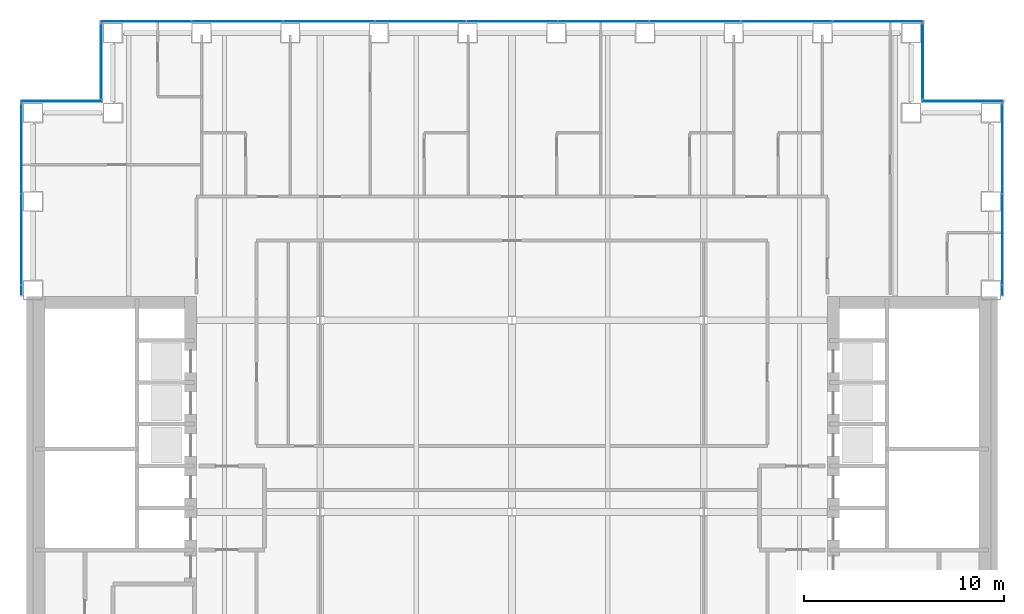
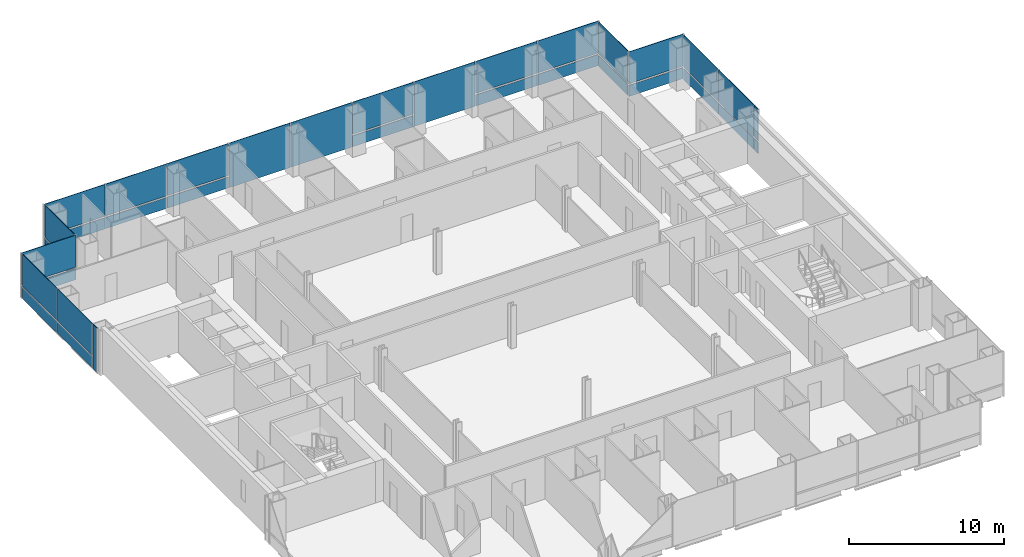
# One storey, part 15 of 21: 34 plates, 7 elements without a shape of their own.
"""IFC4 building model written with IfcOpenShell, lengths in metres."""

import ifcopenshell
import ifcopenshell.guid

model = None  # the IFC model being written
_history = None  # IfcOwnerHistory: only IFC2X3 demands one
_inside = {}  # id of a spatial element -> (the spatial element, [elements in it])
_under = {}  # id of a project, library or spatial element -> (it, [spatial elements below it])
_declared = {}  # id of a project -> (the project, [libraries it declares])
_typed = {}  # id of a type object -> (the type object, [elements of that type])
_made_of = {}  # id of a material, layer set ... -> (it, [elements and type objects made of it])


def new_model(schema):
    """Start an empty IFC model of exactly this schema.

    Asked for "IFC4X3", IfcOpenShell would pick the latest addendum, in which some entities
    have other attributes; the version numbers below select the first issue.
    IFC2X3 requires an IfcOwnerHistory on every rooted entity: one is made here for all.
    """
    global model, _history
    if schema == "IFC4X3":
        model = ifcopenshell.file(schema_version=(4, 3, 0, 0))
    else:
        model = ifcopenshell.file(schema=schema)
    _inside.clear()
    _under.clear()
    _declared.clear()
    _typed.clear()
    _made_of.clear()
    _history = None
    if model.schema == "IFC2X3":
        org = make("IfcOrganization", Name="unknown")
        user = make(
            "IfcPersonAndOrganization",
            ThePerson=make("IfcPerson", FamilyName="unknown"),
            TheOrganization=org,
        )
        app = make(
            "IfcApplication",
            ApplicationDeveloper=org,
            Version="unknown",
            ApplicationFullName="unknown",
            ApplicationIdentifier="unknown",
        )
        _history = make(
            "IfcOwnerHistory",
            OwningUser=user,
            OwningApplication=app,
            ChangeAction="ADDED",
            CreationDate=0,
        )
    return model


def make(cls, **values):
    """One entity of the class cls with the attributes given. An attribute that is None is left unset."""
    return model.create_entity(
        cls, **{name: value for name, value in values.items() if value is not None}
    )


def rooted(cls, **values):
    """An entity with a GlobalId (a new one), such as an element, a storey or a relation."""
    return make(cls, GlobalId=ifcopenshell.guid.new(), OwnerHistory=_history, **values)


def si_unit(unit_type, name, prefix=None):
    """IfcSIUnit, for example si_unit("LENGTHUNIT", "METRE", prefix="MILLI")."""
    return make("IfcSIUnit", UnitType=unit_type, Prefix=prefix, Name=name)


def assignment(units):
    """IfcUnitAssignment: the units of a project."""
    return None if units is None else make("IfcUnitAssignment", Units=units)


def point(xyz):
    """IfcCartesianPoint."""
    return None if xyz is None else make("IfcCartesianPoint", Coordinates=xyz)


def direction(xyz):
    """IfcDirection."""
    return None if xyz is None else make("IfcDirection", DirectionRatios=xyz)


def frame(location, z_axis=None, x_axis=None):
    """IfcAxis2Placement3D, a coordinate frame: its origin and axes. An axis left out is left unset."""
    return make(
        "IfcAxis2Placement3D",
        Location=point(location),
        Axis=direction(z_axis),
        RefDirection=direction(x_axis),
    )


def frame_2d(location, x_axis=None):
    """IfcAxis2Placement2D, a coordinate frame in the plane: its origin and x axis."""
    return make(
        "IfcAxis2Placement2D", Location=point(location), RefDirection=direction(x_axis)
    )


def origin():
    """The frame at (0, 0, 0) with its axes left unset."""
    return frame((0.0, 0.0, 0.0))


def origin_2d():
    """The frame at (0, 0) in the plane with its x axis left unset."""
    return frame_2d((0.0, 0.0))


def place(relative_to, where):
    """IfcLocalPlacement: puts the frame where relative to a parent placement (None: the world)."""
    return make(
        "IfcLocalPlacement", PlacementRelTo=relative_to, RelativePlacement=where
    )


def context(
    kind, dimensions, precision=None, world=None, true_north=None, identifier=None
):
    """IfcGeometricRepresentationContext, for example the 3D "Model" context."""
    return make(
        "IfcGeometricRepresentationContext",
        ContextIdentifier=identifier,
        ContextType=kind,
        CoordinateSpaceDimension=dimensions,
        Precision=precision,
        WorldCoordinateSystem=world,
        TrueNorth=true_north,
    )


def subcontext(parent, identifier, kind, view, scale=None):
    """IfcGeometricRepresentationSubContext, for example "Body" below "Model"."""
    return make(
        "IfcGeometricRepresentationSubContext",
        ContextIdentifier=identifier,
        ContextType=kind,
        ParentContext=parent,
        TargetScale=scale,
        TargetView=view,
    )


def project(units=None, contexts=None):
    """IfcProject with its units and contexts."""
    return rooted(
        "IfcProject",
        Name="project",
        RepresentationContexts=contexts,
        UnitsInContext=assignment(units),
    )


def spatial(cls, under=None, at=None, **own):
    """A site, building, storey or space (cls), placed at a placement, below another one or the project."""
    s = rooted(cls, ObjectPlacement=at, **own)
    if under is not None:
        _under.setdefault(under.id(), (under, []))[1].append(s)
    return s


def profile(cls, at=None, kind="AREA", **sizes):
    """A parametric profile (cls). Its sizes go by their IFC names, for example OverallWidth=200.0."""
    return make(cls, ProfileType=kind, Position=at, **sizes)


def rectangle(**sizes):
    """IfcRectangleProfileDef."""
    return profile("IfcRectangleProfileDef", **sizes)


def extrude(swept, where, along, depth):
    """IfcExtrudedAreaSolid: the profile swept, set in the frame where, extruded along a direction by depth."""
    return make(
        "IfcExtrudedAreaSolid",
        SweptArea=swept,
        Position=where,
        ExtrudedDirection=direction(along),
        Depth=depth,
    )


def shape(context_of_items, identifier, shape_type, items):
    """IfcShapeRepresentation: the items that make up one representation, for example the "Body"."""
    return make(
        "IfcShapeRepresentation",
        ContextOfItems=context_of_items,
        RepresentationIdentifier=identifier,
        RepresentationType=shape_type,
        Items=items,
    )


def material(Name=None, Category=None):
    """IfcMaterial."""
    return make("IfcMaterial", Name=Name, Category=Category)


def layer(
    of_material, thickness, ventilated=None, Name=None, Category=None, Priority=None
):
    """IfcMaterialLayer: one layer of a wall or slab, of a material (None: an air gap)."""
    return make(
        "IfcMaterialLayer",
        Material=of_material,
        LayerThickness=thickness,
        IsVentilated=ventilated,
        Name=Name,
        Category=Category,
        Priority=Priority,
    )


def layer_set(layers, Name=None):
    """IfcMaterialLayerSet."""
    return make("IfcMaterialLayerSet", MaterialLayers=layers, LayerSetName=Name)


def made_of(thing, what):
    """Note that an element or type object is made of a material, layer set ...; save() writes the relation."""
    if what is not None:
        _made_of.setdefault(what.id(), (what, []))[1].append(thing)
    return thing


def type_object(cls, material=None, **own):
    """A type object (cls), such as IfcWallType, which elements share."""
    return made_of(rooted(cls, **own), material)


def element(
    cls,
    number,
    at=None,
    inside=None,
    cuts=None,
    type_object=None,
    material=None,
    context=None,
    identifier="Body",
    shape_type=None,
    held_by="IfcProductDefinitionShape",
    body=None,
    shapes=None,
    **own,
):
    """One element of the class cls, such as IfcWall. Its Tag is "e" and its number.

    at: its placement. inside: the storey or other place that contains it. cuts: it is an
    opening in that element (IfcRelVoidsElement). A single representation is given by context,
    identifier, shape_type and body (its items); several are given by shapes. held_by: the class
    of the entity that holds the representations. save() writes the other relations.
    """
    e = rooted(cls, Tag="e%d" % number, ObjectPlacement=at, **own)
    if body is not None:
        shapes = [shape(context, identifier, shape_type, body)]
    if shapes is not None:
        e.Representation = make(held_by, Representations=shapes)
    if inside is not None:
        _inside.setdefault(inside.id(), (inside, []))[1].append(e)
    if cuts is not None:
        rooted(
            "IfcRelVoidsElement", RelatingBuildingElement=cuts, RelatedOpeningElement=e
        )
    if type_object is not None:
        _typed.setdefault(type_object.id(), (type_object, []))[1].append(e)
    return made_of(e, material)


def aggregate(whole, parts):
    """IfcRelAggregates: a whole, such as a stair, and the parts it consists of."""
    return rooted("IfcRelAggregates", RelatingObject=whole, RelatedObjects=parts)


def save(model, path):
    """Write the relations noted so far, then the file.

    IfcRelAggregates (storeys below a building ...), IfcRelContainedInSpatialStructure (elements
    in a storey), IfcRelDefinesByType, IfcRelAssociatesMaterial and IfcRelDeclares: one each for
    every whole, place, type object, material and project.
    """
    for whole, parts in _under.values():
        aggregate(whole, parts)
    for where, things in _inside.values():
        rooted(
            "IfcRelContainedInSpatialStructure",
            RelatedElements=things,
            RelatingStructure=where,
        )
    for kind, things in _typed.values():
        rooted("IfcRelDefinesByType", RelatedObjects=things, RelatingType=kind)
    for what, things in _made_of.values():
        rooted("IfcRelAssociatesMaterial", RelatedObjects=things, RelatingMaterial=what)
    for by, libraries in _declared.values():
        rooted("IfcRelDeclares", RelatingContext=by, RelatedDefinitions=libraries)
    model.write(path)


model = new_model("IFC4")

# Units and contexts
model_context = context("Model", 3, precision=1e-05, world=origin(), true_north=direction((0.0, 1.0)))
body_context = subcontext(model_context, "Body", "Model", "MODEL_VIEW")
ifc_project = project(units=[si_unit("LENGTHUNIT", "METRE"), si_unit("AREAUNIT", "SQUARE_METRE"), si_unit("VOLUMEUNIT", "CUBIC_METRE"), si_unit("PLANEANGLEUNIT", "RADIAN"), si_unit("MASSUNIT", "GRAM", prefix="KILO")], contexts=[model_context])

# Site, building, storey
site_placement = place(None, origin())
site = spatial("IfcSite", under=ifc_project, at=site_placement, CompositionType="ELEMENT")
building_placement = place(site_placement, origin())
building = spatial("IfcBuilding", under=site, at=building_placement, Name="Cobrizo Arcos Hotel Tower", CompositionType="ELEMENT")
storey_placement = place(building_placement, frame((0.0, 0.0, 42.5)))
storey = spatial("IfcBuildingStorey", under=building, at=storey_placement, Name="L08", CompositionType="ELEMENT", Elevation=42.5)

# Curtain wall, plates
ifc_material_1 = material(Name="Aluminium 6063-T6 anodised bronze", Category="aluminium")
curtain_wall_type = type_object("IfcCurtainWallType", Name="CW-A guest facade", PredefinedType="NOTDEFINED", material=ifc_material_1)
curtain_wall_1_placement = place(storey_placement, origin())
curtain_wall_1 = element("IfcCurtainWall", 1, at=curtain_wall_1_placement, inside=storey, type_object=curtain_wall_type, Name="CW-A L08 E face", PredefinedType="NOTDEFINED")
ifc_material_2 = material(Name="Glass clear laminated low-e", Category="glass")
ifc_layer_1 = layer(ifc_material_2, 0.0400390625)
ifc_layer_set_1 = layer_set([ifc_layer_1], Name="CW-A glass panel")
plate_type_1 = type_object("IfcPlateType", Name="CW-A glass panel", PredefinedType="CURTAIN_PANEL", material=ifc_layer_set_1)
plate_1_placement = place(storey_placement, frame((24.574951171875, 11.109375, 0.990234375), z_axis=(0.0, 0.0, 1.0), x_axis=(0.0, 1.0, 0.0)))
plate_1 = element("IfcPlate", 2, at=plate_1_placement, type_object=plate_type_1, Name="CW-A glass panel 413", PredefinedType="CURTAIN_PANEL", context=body_context, shape_type="SweptSolid", body=[
    extrude(rectangle(XDim=0.498779296875, YDim=0.0400390625, at=origin_2d()), origin(), (0.0, 0.0, 1.0), 2.510009765625),
])
plate_2_placement = place(storey_placement, frame((24.574951171875, 13.666748046875, 0.990234375), z_axis=(0.0, 0.0, 1.0), x_axis=(0.0, 1.0, 0.0)))
plate_2 = element("IfcPlate", 3, at=plate_2_placement, type_object=plate_type_1, Name="CW-A glass panel 414", PredefinedType="CURTAIN_PANEL", context=body_context, shape_type="SweptSolid", body=[
    extrude(rectangle(XDim=4.49560546875, YDim=0.0400390625, at=origin_2d()), origin(), (0.0, 0.0, 1.0), 2.510009765625),
])
plate_3_placement = place(storey_placement, frame((24.574951171875, 18.207275390625, 0.990234375), z_axis=(0.0, 0.0, 1.0), x_axis=(0.0, 1.0, 0.0)))
plate_3 = element("IfcPlate", 4, at=plate_3_placement, type_object=plate_type_1, Name="CW-A glass panel 415", PredefinedType="CURTAIN_PANEL", context=body_context, shape_type="SweptSolid", body=[
    extrude(rectangle(XDim=4.465576171875, YDim=0.0400390625, at=origin_2d()), origin(), (0.0, 0.0, 1.0), 2.510009765625),
])

# Curtain wall, plate
curtain_wall_2_placement = place(storey_placement, origin())
curtain_wall_2 = element("IfcCurtainWall", 5, at=curtain_wall_2_placement, inside=storey, type_object=curtain_wall_type, Name="CW-A L08 N face", PredefinedType="NOTDEFINED")
plate_4_placement = place(storey_placement, frame((22.574951171875, 20.574951171875, 0.990234375), z_axis=(0.0, 0.0, 1.0), x_axis=(-1.0, 0.0, 0.0)))
plate_4 = element("IfcPlate", 6, at=plate_4_placement, type_object=plate_type_1, Name="CW-A glass panel 416", PredefinedType="CURTAIN_PANEL", context=body_context, shape_type="SweptSolid", body=[
    extrude(rectangle(XDim=4.030029296875, YDim=0.0400390625, at=origin_2d()), origin(), (0.0, 0.0, 1.0), 2.510009765625),
])

curtain_wall_3_placement = place(storey_placement, origin())
curtain_wall_3 = element("IfcCurtainWall", 7, at=curtain_wall_3_placement, inside=storey, type_object=curtain_wall_type, Name="CW-A L08 E face", PredefinedType="NOTDEFINED")
plate_5_placement = place(storey_placement, frame((20.574951171875, 22.574951171875, 0.990234375), z_axis=(0.0, 0.0, 1.0), x_axis=(0.0, 1.0, 0.0)))
plate_5 = element("IfcPlate", 8, at=plate_5_placement, type_object=plate_type_1, Name="CW-A glass panel 417", PredefinedType="CURTAIN_PANEL", context=body_context, shape_type="SweptSolid", body=[
    extrude(rectangle(XDim=3.72998046875, YDim=0.0400390625, at=origin_2d()), origin(), (0.0, 0.0, 1.0), 2.510009765625),
])

# Curtain wall, plates
curtain_wall_4_placement = place(storey_placement, origin())
curtain_wall_4 = element("IfcCurtainWall", 9, at=curtain_wall_4_placement, inside=storey, type_object=curtain_wall_type, Name="CW-A L08 N face", PredefinedType="NOTDEFINED")
plate_6_placement = place(storey_placement, frame((18.340576171875, 24.574951171875, 0.990234375), z_axis=(0.0, 0.0, 1.0), x_axis=(-1.0, 0.0, 0.0)))
plate_6 = element("IfcPlate", 10, at=plate_6_placement, type_object=plate_type_1, Name="CW-A glass panel 418", PredefinedType="CURTAIN_PANEL", context=body_context, shape_type="SweptSolid", body=[
    extrude(rectangle(XDim=4.498779296875, YDim=0.0400390625, at=origin_2d()), origin(), (0.0, 0.0, 1.0), 2.510009765625),
])
plate_7_placement = place(storey_placement, frame((13.7666015625, 24.574951171875, 0.990234375), z_axis=(0.0, 0.0, 1.0), x_axis=(-1.0, 0.0, 0.0)))
plate_7 = element("IfcPlate", 11, at=plate_7_placement, type_object=plate_type_1, Name="CW-A glass panel 419", PredefinedType="CURTAIN_PANEL", context=body_context, shape_type="SweptSolid", body=[
    extrude(rectangle(XDim=4.52880859375, YDim=0.0400390625, at=origin_2d()), origin(), (0.0, 0.0, 1.0), 2.510009765625),
])
plate_8_placement = place(storey_placement, frame((4.5888671875, 24.574951171875, 0.990234375), z_axis=(0.0, 0.0, 1.0), x_axis=(-1.0, 0.0, 0.0)))
plate_8 = element("IfcPlate", 12, at=plate_8_placement, type_object=plate_type_1, Name="CW-A glass panel 421", PredefinedType="CURTAIN_PANEL", context=body_context, shape_type="SweptSolid", body=[
    extrude(rectangle(XDim=4.52880859375, YDim=0.0400390625, at=origin_2d()), origin(), (0.0, 0.0, 1.0), 2.510009765625),
])
plate_9_placement = place(storey_placement, frame((-9.177734375, 24.574951171875, 0.990234375), z_axis=(0.0, 0.0, 1.0), x_axis=(-1.0, 0.0, 0.0)))
plate_9 = element("IfcPlate", 13, at=plate_9_placement, type_object=plate_type_1, Name="CW-A glass panel 424", PredefinedType="CURTAIN_PANEL", context=body_context, shape_type="SweptSolid", body=[
    extrude(rectangle(XDim=4.52880859375, YDim=0.0400390625, at=origin_2d()), origin(), (0.0, 0.0, 1.0), 2.510009765625),
])
plate_10_placement = place(storey_placement, frame((-13.7666015625, 24.574951171875, 0.990234375), z_axis=(0.0, 0.0, 1.0), x_axis=(-1.0, 0.0, 0.0)))
plate_10 = element("IfcPlate", 14, at=plate_10_placement, type_object=plate_type_1, Name="CW-A glass panel 425", PredefinedType="CURTAIN_PANEL", context=body_context, shape_type="SweptSolid", body=[
    extrude(rectangle(XDim=4.52880859375, YDim=0.0400390625, at=origin_2d()), origin(), (0.0, 0.0, 1.0), 2.510009765625),
])
plate_11_placement = place(storey_placement, frame((-18.340576171875, 24.574951171875, 0.990234375), z_axis=(0.0, 0.0, 1.0), x_axis=(-1.0, 0.0, 0.0)))
plate_11 = element("IfcPlate", 15, at=plate_11_placement, type_object=plate_type_1, Name="CW-A glass panel 426", PredefinedType="CURTAIN_PANEL", context=body_context, shape_type="SweptSolid", body=[
    extrude(rectangle(XDim=4.498779296875, YDim=0.0400390625, at=origin_2d()), origin(), (0.0, 0.0, 1.0), 2.510009765625),
])

# Curtain wall, plate
curtain_wall_5_placement = place(storey_placement, origin())
curtain_wall_5 = element("IfcCurtainWall", 16, at=curtain_wall_5_placement, inside=storey, type_object=curtain_wall_type, Name="CW-A L08 W face", PredefinedType="NOTDEFINED")
plate_12_placement = place(storey_placement, frame((-20.574951171875, 22.574951171875, 0.990234375), z_axis=(0.0, 0.0, 1.0), x_axis=(0.0, -1.0, 0.0)))
plate_12 = element("IfcPlate", 17, at=plate_12_placement, type_object=plate_type_1, Name="CW-A glass panel 427", PredefinedType="CURTAIN_PANEL", context=body_context, shape_type="SweptSolid", body=[
    extrude(rectangle(XDim=3.72998046875, YDim=0.0400390625, at=origin_2d()), origin(), (0.0, 0.0, 1.0), 2.510009765625),
])

curtain_wall_6_placement = place(storey_placement, origin())
curtain_wall_6 = element("IfcCurtainWall", 18, at=curtain_wall_6_placement, inside=storey, type_object=curtain_wall_type, Name="CW-A L08 N face", PredefinedType="NOTDEFINED")
plate_13_placement = place(storey_placement, frame((-22.574951171875, 20.574951171875, 0.990234375), z_axis=(0.0, 0.0, 1.0), x_axis=(-1.0, 0.0, 0.0)))
plate_13 = element("IfcPlate", 19, at=plate_13_placement, type_object=plate_type_1, Name="CW-A glass panel 428", PredefinedType="CURTAIN_PANEL", context=body_context, shape_type="SweptSolid", body=[
    extrude(rectangle(XDim=4.030029296875, YDim=0.0400390625, at=origin_2d()), origin(), (0.0, 0.0, 1.0), 2.510009765625),
])

# Curtain wall, plates
curtain_wall_7_placement = place(storey_placement, origin())
curtain_wall_7 = element("IfcCurtainWall", 20, at=curtain_wall_7_placement, inside=storey, type_object=curtain_wall_type, Name="CW-A L08 W face", PredefinedType="NOTDEFINED")
plate_14_placement = place(storey_placement, frame((-24.574951171875, 18.207275390625, 0.990234375), z_axis=(0.0, 0.0, 1.0), x_axis=(0.0, -1.0, 0.0)))
plate_14 = element("IfcPlate", 21, at=plate_14_placement, type_object=plate_type_1, Name="CW-A glass panel 429", PredefinedType="CURTAIN_PANEL", context=body_context, shape_type="SweptSolid", body=[
    extrude(rectangle(XDim=4.465576171875, YDim=0.0400390625, at=origin_2d()), origin(), (0.0, 0.0, 1.0), 2.510009765625),
])
plate_15_placement = place(storey_placement, frame((-24.574951171875, 13.666748046875, 0.990234375), z_axis=(0.0, 0.0, 1.0), x_axis=(0.0, -1.0, 0.0)))
plate_15 = element("IfcPlate", 22, at=plate_15_placement, type_object=plate_type_1, Name="CW-A glass panel 430", PredefinedType="CURTAIN_PANEL", context=body_context, shape_type="SweptSolid", body=[
    extrude(rectangle(XDim=4.49560546875, YDim=0.0400390625, at=origin_2d()), origin(), (0.0, 0.0, 1.0), 2.510009765625),
])

# Plate
ifc_material_3 = material(Name="Aluminium composite panel pale metal", Category="aluminium")
ifc_layer_2 = layer(ifc_material_3, 0.0400390625)
ifc_layer_set_2 = layer_set([ifc_layer_2], Name="CW-A spandrel panel")
plate_type_2 = type_object("IfcPlateType", Name="CW-A spandrel panel", PredefinedType="CURTAIN_PANEL", material=ifc_layer_set_2)
plate_16_placement = place(storey_placement, frame((24.574951171875, 11.109375, 0.0), z_axis=(0.0, 0.0, 1.0), x_axis=(0.0, 1.0, 0.0)))
plate_16 = element("IfcPlate", 23, at=plate_16_placement, type_object=plate_type_2, Name="CW-A spandrel panel 413", PredefinedType="CURTAIN_PANEL", context=body_context, shape_type="SweptSolid", body=[
    extrude(rectangle(XDim=0.498779296875, YDim=0.0400390625, at=origin_2d()), origin(), (0.0, 0.0, 1.0), 0.8701171875),
])

plate_17_placement = place(storey_placement, frame((24.574951171875, 13.666748046875, 0.0), z_axis=(0.0, 0.0, 1.0), x_axis=(0.0, 1.0, 0.0)))
plate_17 = element("IfcPlate", 24, at=plate_17_placement, type_object=plate_type_2, Name="CW-A spandrel panel 414", PredefinedType="CURTAIN_PANEL", context=body_context, shape_type="SweptSolid", body=[
    extrude(rectangle(XDim=4.49560546875, YDim=0.0400390625, at=origin_2d()), origin(), (0.0, 0.0, 1.0), 0.8701171875),
])

plate_18_placement = place(storey_placement, frame((24.574951171875, 18.207275390625, 0.0), z_axis=(0.0, 0.0, 1.0), x_axis=(0.0, 1.0, 0.0)))
plate_18 = element("IfcPlate", 25, at=plate_18_placement, type_object=plate_type_2, Name="CW-A spandrel panel 415", PredefinedType="CURTAIN_PANEL", context=body_context, shape_type="SweptSolid", body=[
    extrude(rectangle(XDim=4.465576171875, YDim=0.0400390625, at=origin_2d()), origin(), (0.0, 0.0, 1.0), 0.8701171875),
])

aggregate(curtain_wall_1, [plate_16, plate_1, plate_17, plate_2, plate_18, plate_3])

plate_19_placement = place(storey_placement, frame((22.574951171875, 20.574951171875, 0.0), z_axis=(0.0, 0.0, 1.0), x_axis=(-1.0, 0.0, 0.0)))
plate_19 = element("IfcPlate", 26, at=plate_19_placement, type_object=plate_type_2, Name="CW-A spandrel panel 416", PredefinedType="CURTAIN_PANEL", context=body_context, shape_type="SweptSolid", body=[
    extrude(rectangle(XDim=4.030029296875, YDim=0.0400390625, at=origin_2d()), origin(), (0.0, 0.0, 1.0), 0.8701171875),
])

aggregate(curtain_wall_2, [plate_19, plate_4])

plate_20_placement = place(storey_placement, frame((20.574951171875, 22.574951171875, 0.0), z_axis=(0.0, 0.0, 1.0), x_axis=(0.0, 1.0, 0.0)))
plate_20 = element("IfcPlate", 27, at=plate_20_placement, type_object=plate_type_2, Name="CW-A spandrel panel 417", PredefinedType="CURTAIN_PANEL", context=body_context, shape_type="SweptSolid", body=[
    extrude(rectangle(XDim=3.72998046875, YDim=0.0400390625, at=origin_2d()), origin(), (0.0, 0.0, 1.0), 0.8701171875),
])

aggregate(curtain_wall_3, [plate_20, plate_5])

plate_21_placement = place(storey_placement, frame((18.340576171875, 24.574951171875, 0.0), z_axis=(0.0, 0.0, 1.0), x_axis=(-1.0, 0.0, 0.0)))
plate_21 = element("IfcPlate", 28, at=plate_21_placement, type_object=plate_type_2, Name="CW-A spandrel panel 418", PredefinedType="CURTAIN_PANEL", context=body_context, shape_type="SweptSolid", body=[
    extrude(rectangle(XDim=4.498779296875, YDim=0.0400390625, at=origin_2d()), origin(), (0.0, 0.0, 1.0), 0.8701171875),
])

plate_22_placement = place(storey_placement, frame((13.7666015625, 24.574951171875, 0.0), z_axis=(0.0, 0.0, 1.0), x_axis=(-1.0, 0.0, 0.0)))
plate_22 = element("IfcPlate", 29, at=plate_22_placement, type_object=plate_type_2, Name="CW-A spandrel panel 419", PredefinedType="CURTAIN_PANEL", context=body_context, shape_type="SweptSolid", body=[
    extrude(rectangle(XDim=4.52880859375, YDim=0.0400390625, at=origin_2d()), origin(), (0.0, 0.0, 1.0), 0.8701171875),
])

plate_23_placement = place(storey_placement, frame((9.177734375, 24.574951171875, 0.0), z_axis=(0.0, 0.0, 1.0), x_axis=(-1.0, 0.0, 0.0)))
plate_23 = element("IfcPlate", 30, at=plate_23_placement, type_object=plate_type_2, Name="CW-A spandrel panel 420", PredefinedType="CURTAIN_PANEL", context=body_context, shape_type="SweptSolid", body=[
    extrude(rectangle(XDim=4.52880859375, YDim=0.0400390625, at=origin_2d()), origin(), (0.0, 0.0, 1.0), 3.5),
])

plate_24_placement = place(storey_placement, frame((4.5888671875, 24.574951171875, 0.0), z_axis=(0.0, 0.0, 1.0), x_axis=(-1.0, 0.0, 0.0)))
plate_24 = element("IfcPlate", 31, at=plate_24_placement, type_object=plate_type_2, Name="CW-A spandrel panel 421", PredefinedType="CURTAIN_PANEL", context=body_context, shape_type="SweptSolid", body=[
    extrude(rectangle(XDim=4.52880859375, YDim=0.0400390625, at=origin_2d()), origin(), (0.0, 0.0, 1.0), 0.8701171875),
])

plate_25_placement = place(storey_placement, frame((0.0, 24.574951171875, 0.0), z_axis=(0.0, 0.0, 1.0), x_axis=(-1.0, 0.0, 0.0)))
plate_25 = element("IfcPlate", 32, at=plate_25_placement, type_object=plate_type_2, Name="CW-A spandrel panel 422", PredefinedType="CURTAIN_PANEL", context=body_context, shape_type="SweptSolid", body=[
    extrude(rectangle(XDim=4.52880859375, YDim=0.0400390625, at=origin_2d()), origin(), (0.0, 0.0, 1.0), 3.5),
])

plate_26_placement = place(storey_placement, frame((-4.5888671875, 24.574951171875, 0.0), z_axis=(0.0, 0.0, 1.0), x_axis=(-1.0, 0.0, 0.0)))
plate_26 = element("IfcPlate", 33, at=plate_26_placement, type_object=plate_type_2, Name="CW-A spandrel panel 423", PredefinedType="CURTAIN_PANEL", context=body_context, shape_type="SweptSolid", body=[
    extrude(rectangle(XDim=4.52880859375, YDim=0.0400390625, at=origin_2d()), origin(), (0.0, 0.0, 1.0), 3.5),
])

plate_27_placement = place(storey_placement, frame((-9.177734375, 24.574951171875, 0.0), z_axis=(0.0, 0.0, 1.0), x_axis=(-1.0, 0.0, 0.0)))
plate_27 = element("IfcPlate", 34, at=plate_27_placement, type_object=plate_type_2, Name="CW-A spandrel panel 424", PredefinedType="CURTAIN_PANEL", context=body_context, shape_type="SweptSolid", body=[
    extrude(rectangle(XDim=4.52880859375, YDim=0.0400390625, at=origin_2d()), origin(), (0.0, 0.0, 1.0), 0.8701171875),
])

plate_28_placement = place(storey_placement, frame((-13.7666015625, 24.574951171875, 0.0), z_axis=(0.0, 0.0, 1.0), x_axis=(-1.0, 0.0, 0.0)))
plate_28 = element("IfcPlate", 35, at=plate_28_placement, type_object=plate_type_2, Name="CW-A spandrel panel 425", PredefinedType="CURTAIN_PANEL", context=body_context, shape_type="SweptSolid", body=[
    extrude(rectangle(XDim=4.52880859375, YDim=0.0400390625, at=origin_2d()), origin(), (0.0, 0.0, 1.0), 0.8701171875),
])

plate_29_placement = place(storey_placement, frame((-18.340576171875, 24.574951171875, 0.0), z_axis=(0.0, 0.0, 1.0), x_axis=(-1.0, 0.0, 0.0)))
plate_29 = element("IfcPlate", 36, at=plate_29_placement, type_object=plate_type_2, Name="CW-A spandrel panel 426", PredefinedType="CURTAIN_PANEL", context=body_context, shape_type="SweptSolid", body=[
    extrude(rectangle(XDim=4.498779296875, YDim=0.0400390625, at=origin_2d()), origin(), (0.0, 0.0, 1.0), 0.8701171875),
])

aggregate(curtain_wall_4, [plate_21, plate_6, plate_22, plate_7, plate_23, plate_24, plate_8, plate_25, plate_26, plate_27, plate_9, plate_28, plate_10, plate_29, plate_11])

plate_30_placement = place(storey_placement, frame((-20.574951171875, 22.574951171875, 0.0), z_axis=(0.0, 0.0, 1.0), x_axis=(0.0, -1.0, 0.0)))
plate_30 = element("IfcPlate", 37, at=plate_30_placement, type_object=plate_type_2, Name="CW-A spandrel panel 427", PredefinedType="CURTAIN_PANEL", context=body_context, shape_type="SweptSolid", body=[
    extrude(rectangle(XDim=3.72998046875, YDim=0.0400390625, at=origin_2d()), origin(), (0.0, 0.0, 1.0), 0.8701171875),
])

aggregate(curtain_wall_5, [plate_30, plate_12])

plate_31_placement = place(storey_placement, frame((-22.574951171875, 20.574951171875, 0.0), z_axis=(0.0, 0.0, 1.0), x_axis=(-1.0, 0.0, 0.0)))
plate_31 = element("IfcPlate", 38, at=plate_31_placement, type_object=plate_type_2, Name="CW-A spandrel panel 428", PredefinedType="CURTAIN_PANEL", context=body_context, shape_type="SweptSolid", body=[
    extrude(rectangle(XDim=4.030029296875, YDim=0.0400390625, at=origin_2d()), origin(), (0.0, 0.0, 1.0), 0.8701171875),
])

aggregate(curtain_wall_6, [plate_31, plate_13])

plate_32_placement = place(storey_placement, frame((-24.574951171875, 18.207275390625, 0.0), z_axis=(0.0, 0.0, 1.0), x_axis=(0.0, -1.0, 0.0)))
plate_32 = element("IfcPlate", 39, at=plate_32_placement, type_object=plate_type_2, Name="CW-A spandrel panel 429", PredefinedType="CURTAIN_PANEL", context=body_context, shape_type="SweptSolid", body=[
    extrude(rectangle(XDim=4.465576171875, YDim=0.0400390625, at=origin_2d()), origin(), (0.0, 0.0, 1.0), 0.8701171875),
])

plate_33_placement = place(storey_placement, frame((-24.574951171875, 13.666748046875, 0.0), z_axis=(0.0, 0.0, 1.0), x_axis=(0.0, -1.0, 0.0)))
plate_33 = element("IfcPlate", 40, at=plate_33_placement, type_object=plate_type_2, Name="CW-A spandrel panel 430", PredefinedType="CURTAIN_PANEL", context=body_context, shape_type="SweptSolid", body=[
    extrude(rectangle(XDim=4.49560546875, YDim=0.0400390625, at=origin_2d()), origin(), (0.0, 0.0, 1.0), 0.8701171875),
])

plate_34_placement = place(storey_placement, frame((-24.574951171875, 11.109375, 0.0), z_axis=(0.0, 0.0, 1.0), x_axis=(0.0, -1.0, 0.0)))
plate_34 = element("IfcPlate", 41, at=plate_34_placement, type_object=plate_type_2, Name="CW-A spandrel panel 431", PredefinedType="CURTAIN_PANEL", context=body_context, shape_type="SweptSolid", body=[
    extrude(rectangle(XDim=0.498779296875, YDim=0.0400390625, at=origin_2d()), origin(), (0.0, 0.0, 1.0), 3.5),
])

aggregate(curtain_wall_7, [plate_32, plate_14, plate_33, plate_15, plate_34])

save(model, "model.ifc")
